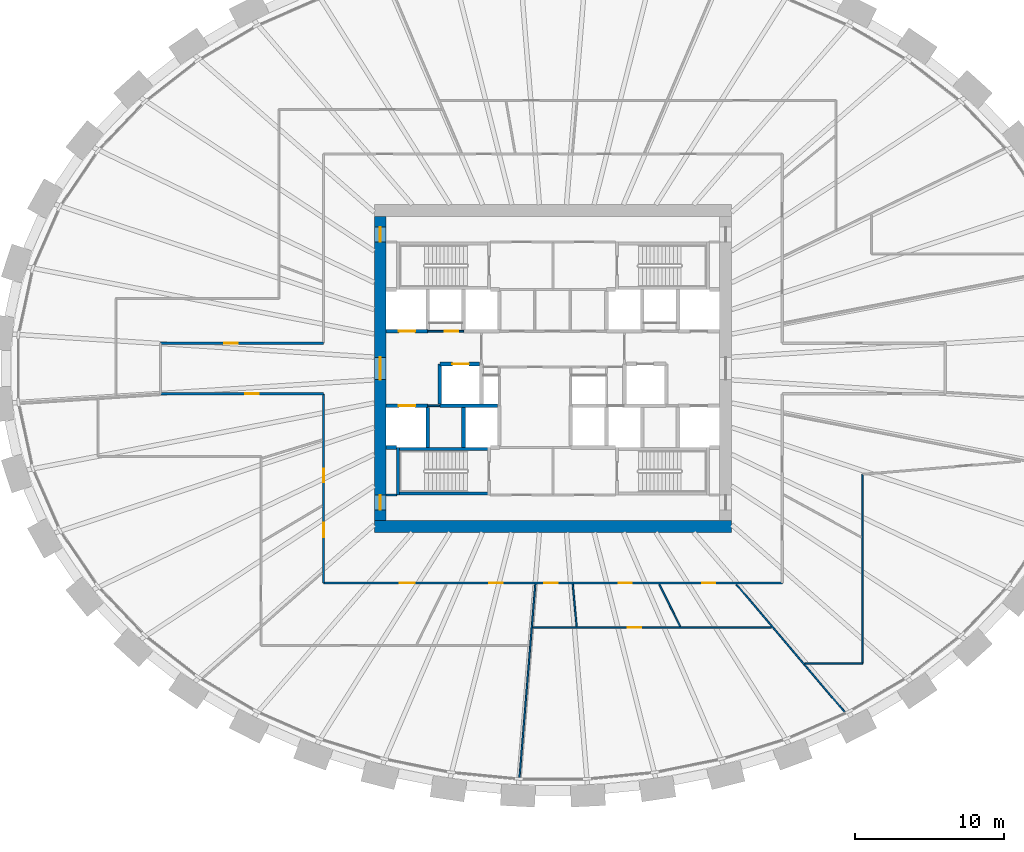
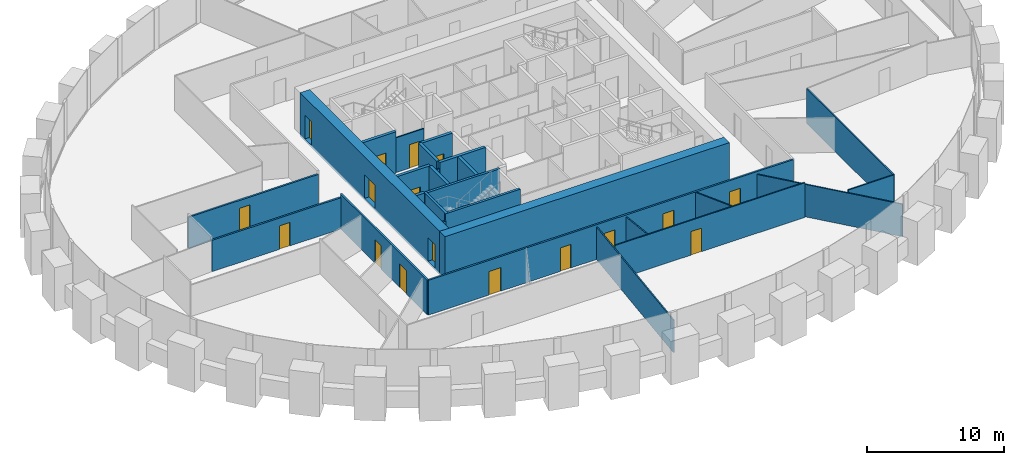
# One storey, part 6 of 10: 27 walls, 17 doors, 17 openings.
"""IFC4 building model written with IfcOpenShell, lengths in metres."""

from ifc_helpers import new_model, si_unit, direction, frame, frame_2d, origin, place, context, subcontext, project, spatial, rectangle, extrude, source, transform, mapped, material, layer, layer_set, type_object, element, fill, save


model = new_model("IFC4")

# Units and contexts
model_context = context("Model", 3, precision=1e-05, world=origin(), true_north=direction((0.0, 1.0)))
body_context = subcontext(model_context, "Body", "Model", "MODEL_VIEW")
ifc_project = project(units=[si_unit("LENGTHUNIT", "METRE"), si_unit("AREAUNIT", "SQUARE_METRE"), si_unit("VOLUMEUNIT", "CUBIC_METRE"), si_unit("PLANEANGLEUNIT", "RADIAN"), si_unit("MASSUNIT", "GRAM", prefix="KILO")], contexts=[model_context])

# Site, building, storey
site_placement = place(None, origin())
site = spatial("IfcSite", under=ifc_project, at=site_placement, CompositionType="ELEMENT")
building_placement = place(site_placement, origin())
building = spatial("IfcBuilding", under=site, at=building_placement, Name="Embergate Tower", CompositionType="ELEMENT")
storey_placement = place(building_placement, frame((0.0, 0.0, 175.5)))
storey = spatial("IfcBuildingStorey", under=building, at=storey_placement, Name="L39", CompositionType="ELEMENT", Elevation=175.5)

# Wall
ifc_material_1 = material(Name="Concrete C70", Category="concrete")
ifc_layer_1 = layer(ifc_material_1, 0.800048828125)
ifc_layer_set_1 = layer_set([ifc_layer_1], Name="Concrete C70")
wall_type_1 = type_object("IfcWallType", Name="Core outer wall C70 800", PredefinedType="SHEAR", material=ifc_layer_set_1)
shared_shape_1 = source(origin(), body_context, "Body", "SweptSolid", [
    extrude(rectangle(XDim=24.0, YDim=0.800048828125, at=frame_2d((12.0, 0.0))), origin(), (0.0, 0.0, 1.0), 3.89990234375),
])
wall_1_placement = place(storey_placement, frame((-12.0, -10.60009765625, -0.199951171875), z_axis=(0.0, 0.0, 1.0), x_axis=(1.0, 0.0, 0.0)))
element("IfcWall", 1, at=wall_1_placement, inside=storey, type_object=wall_type_1, Name="CW-L39-S", PredefinedType="SHEAR", context=body_context, shape_type="MappedRepresentation", body=[
    mapped(shared_shape_1, transform((0.0, 0.0, 0.0))),
])

# Wall, openings, doors
shared_shape_2 = source(origin(), body_context, "Body", "SweptSolid", [
    extrude(rectangle(XDim=20.39990234375, YDim=0.800048828125, at=frame_2d((10.199951171875, 0.0))), origin(), (0.0, 0.0, 1.0), 3.89990234375),
])
wall_2_placement = place(storey_placement, frame((-11.60009765625, -10.199951171875, -0.199951171875), z_axis=(0.0, 0.0, 1.0), x_axis=(0.0, 1.0, 0.0)))
wall_2 = element("IfcWall", 2, at=wall_2_placement, inside=storey, type_object=wall_type_1, Name="CW-L39-W", PredefinedType="SHEAR", context=body_context, shape_type="MappedRepresentation", body=[
    mapped(shared_shape_2, transform((0.0, 0.0, 0.0))),
])
shared_shape_3 = source(origin(), body_context, "Body", "SweptSolid", [
    extrude(rectangle(XDim=1.0, YDim=2.10009765625, at=frame_2d((0.5, 1.050048828125))), frame((0.0, 0.409912109375, 0.0), z_axis=(0.0, -1.0, 0.0), x_axis=(1.0, 0.0, 0.0)), (0.0, 0.0, 1.0), 0.820068359375),
])
opening_1_placement = place(wall_2_placement, frame((18.699951171875, 0.0, 0.199951171875)))
opening_1 = element("IfcOpeningElement", 3, at=opening_1_placement, cuts=wall_2, Name="Opening IF-1d", PredefinedType="OPENING", context=body_context, shape_type="MappedRepresentation", body=[
    mapped(shared_shape_3, transform((0.0, 0.0, 0.0))),
])
opening_2_placement = place(wall_2_placement, frame((0.699951171875, 0.0, 0.199951171875)))
opening_2 = element("IfcOpeningElement", 4, at=opening_2_placement, cuts=wall_2, Name="Opening IF-1d", PredefinedType="OPENING", context=body_context, shape_type="MappedRepresentation", body=[
    mapped(shared_shape_3, transform((0.0, 0.0, 0.0))),
])
shared_shape_4 = source(origin(), body_context, "Body", "SweptSolid", [
    extrude(rectangle(XDim=1.5, YDim=2.10009765625, at=frame_2d((0.75, 1.050048828125))), frame((0.0, 0.409912109375, 0.0), z_axis=(0.0, -1.0, 0.0), x_axis=(1.0, 0.0, 0.0)), (0.0, 0.0, 1.0), 0.820068359375),
])
opening_3_placement = place(wall_2_placement, frame((9.449951171875, 0.0, 0.199951171875)))
opening_3 = element("IfcOpeningElement", 5, at=opening_3_placement, cuts=wall_2, Name="Opening IF-3", PredefinedType="OPENING", context=body_context, shape_type="MappedRepresentation", body=[
    mapped(shared_shape_4, transform((0.0, 0.0, 0.0))),
])
ifc_material_2 = material(Name="Lobby fire door pair 1500")
door_type_1 = type_object("IfcDoorType", Name="Lobby fire door pair 1500", OperationType="DOUBLE_DOOR_SINGLE_SWING", PredefinedType="DOOR", material=ifc_material_2)
shared_shape_5 = source(origin(), body_context, "Body", "SweptSolid", [
    extrude(rectangle(XDim=1.5, YDim=2.10009765625, at=frame_2d((0.75, 1.050048828125))), frame((0.0, 0.02490234375, 0.0), z_axis=(0.0, -1.0, 0.0), x_axis=(1.0, 0.0, 0.0)), (0.0, 0.0, 1.0), 0.050048828125),
])
door_1_placement = place(opening_3_placement, origin())
door_1 = element("IfcDoor", 6, at=door_1_placement, inside=storey, type_object=door_type_1, Name="IF-3 door", OperationType="DOUBLE_DOOR_SINGLE_SWING", OverallHeight=2.10009765625, OverallWidth=1.5, PredefinedType="DOOR", context=body_context, shape_type="MappedRepresentation", body=[
    mapped(shared_shape_5, transform((0.0, 0.0, 0.0))),
])
fill(opening_3, door_1)
ifc_material_3 = material(Name="Escape fire door 1000")
door_type_2 = type_object("IfcDoorType", Name="Escape fire door 1000", OperationType="SINGLE_SWING_LEFT", PredefinedType="DOOR", material=ifc_material_3)
shared_shape_6 = source(origin(), body_context, "Body", "SweptSolid", [
    extrude(rectangle(XDim=1.0, YDim=2.10009765625, at=frame_2d((0.5, 1.050048828125))), frame((0.0, 0.02490234375, 0.0), z_axis=(0.0, -1.0, 0.0), x_axis=(1.0, 0.0, 0.0)), (0.0, 0.0, 1.0), 0.050048828125),
])
door_2_placement = place(opening_1_placement, origin())
door_2 = element("IfcDoor", 7, at=door_2_placement, inside=storey, type_object=door_type_2, Name="IF-1 door", OperationType="SINGLE_SWING_LEFT", OverallHeight=2.10009765625, OverallWidth=1.0, PredefinedType="DOOR", context=body_context, shape_type="MappedRepresentation", body=[
    mapped(shared_shape_6, transform((0.0, 0.0, 0.0))),
])
fill(opening_1, door_2)
door_3_placement = place(opening_2_placement, origin())
door_3 = element("IfcDoor", 8, at=door_3_placement, inside=storey, type_object=door_type_2, Name="IF-1 door", OperationType="SINGLE_SWING_RIGHT", OverallHeight=2.10009765625, OverallWidth=1.0, PredefinedType="DOOR", context=body_context, shape_type="MappedRepresentation", body=[
    mapped(shared_shape_6, transform((0.0, 0.0, 0.0))),
])
fill(opening_2, door_3)

# Wall, opening, door
ifc_material_4 = material(Name="Concrete C50", Category="concrete")
ifc_layer_2 = layer(ifc_material_4, 0.25)
ifc_layer_set_2 = layer_set([ifc_layer_2], Name="Concrete C50")
wall_type_2 = type_object("IfcWallType", Name="Hoistway wall reinforced concrete 250", PredefinedType="SHEAR", material=ifc_layer_set_2)
shared_shape_7 = source(origin(), body_context, "Body", "SweptSolid", [
    extrude(rectangle(XDim=2.675048828125, YDim=0.25, at=frame_2d((1.33740234375, 0.0))), origin(), (0.0, 0.0, 1.0), 3.699951171875),
])
wall_3_placement = place(storey_placement, frame((-4.925048828125, 0.300048828125, 0.0), z_axis=(0.0, 0.0, 1.0), x_axis=(-1.0, 0.0, 0.0)))
wall_3 = element("IfcWall", 9, at=wall_3_placement, inside=storey, type_object=wall_type_2, Name="HW-1 wall", PredefinedType="SHEAR", context=body_context, shape_type="MappedRepresentation", body=[
    mapped(shared_shape_7, transform((0.0, 0.0, 0.0))),
])
shared_shape_8 = source(origin(), body_context, "Body", "SweptSolid", [
    extrude(rectangle(XDim=1.10009765625, YDim=2.10009765625, at=frame_2d((0.550048828125, 1.050048828125))), frame((0.0, 0.135009765625, 0.0), z_axis=(0.0, -1.0, 0.0), x_axis=(1.0, 0.0, 0.0)), (0.0, 0.0, 1.0), 0.27001953125),
])
opening_4_placement = place(wall_3_placement, frame((0.72509765625, 0.0, 0.0)))
opening_4 = element("IfcOpeningElement", 10, at=opening_4_placement, cuts=wall_3, Name="Opening LD", PredefinedType="OPENING", context=body_context, shape_type="MappedRepresentation", body=[
    mapped(shared_shape_8, transform((0.0, 0.0, 0.0))),
])
ifc_material_5 = material(Name="Landing door sliding 1100")
door_type_3 = type_object("IfcDoorType", Name="Landing door sliding 1100", OperationType="SLIDING_TO_LEFT", PredefinedType="DOOR", material=ifc_material_5)
shared_shape_9 = source(origin(), body_context, "Body", "SweptSolid", [
    extrude(rectangle(XDim=1.10009765625, YDim=2.10009765625, at=frame_2d((0.550048828125, 1.050048828125))), frame((0.0, 0.02490234375, 0.0), z_axis=(0.0, -1.0, 0.0), x_axis=(1.0, 0.0, 0.0)), (0.0, 0.0, 1.0), 0.050048828125),
])
door_4_placement = place(opening_4_placement, origin())
door_4 = element("IfcDoor", 11, at=door_4_placement, inside=storey, type_object=door_type_3, Name="LD door", OperationType="SLIDING_TO_RIGHT", OverallHeight=2.10009765625, OverallWidth=1.10009765625, PredefinedType="DOOR", context=body_context, shape_type="MappedRepresentation", body=[
    mapped(shared_shape_9, transform((0.0, 0.0, 0.0))),
])
fill(opening_4, door_4)

# Walls
wall_4_placement = place(storey_placement, frame((-7.60009765625, 0.300048828125, 0.0), z_axis=(0.0, 0.0, 1.0), x_axis=(0.0, -1.0, 0.0)))
element("IfcWall", 12, at=wall_4_placement, inside=storey, type_object=wall_type_2, Name="HW-1 wall", PredefinedType="SHEAR", context=body_context, shape_type="MappedRepresentation", body=[
    mapped(shared_shape_7, transform((0.0, 0.0, 0.0))),
])
ifc_layer_3 = layer(ifc_material_4, 0.199951171875)
ifc_layer_set_3 = layer_set([ifc_layer_3], Name="Concrete C50")
wall_type_3 = type_object("IfcWallType", Name="Stair enclosure wall reinforced concrete 250", PredefinedType="SHEAR", material=ifc_layer_set_3)
shared_shape_10 = source(origin(), body_context, "Body", "SweptSolid", [
    extrude(rectangle(XDim=6.300048828125, YDim=0.199951171875, at=frame_2d((3.14990234375, 0.0))), origin(), (0.0, 0.0, 1.0), 3.699951171875),
])
for number, where, z_axis, x_axis, name in (
    (13, (-10.5, -5.39990234375, 0.0), (0.0, 0.0, 1.0), (1.0, 0.0, 0.0), "SE-1 wall"),
    (14, (-10.5, -8.39990234375, 0.0), (0.0, 0.0, 1.0), (1.0, 0.0, 0.0), "SE-1 wall"),
):
    element("IfcWall", number, at=place(storey_placement, frame(where, z_axis=z_axis, x_axis=x_axis)), inside=storey, type_object=wall_type_3, Name=name, PredefinedType="SHEAR", context=body_context, shape_type="MappedRepresentation", body=[
        mapped(shared_shape_10, transform((0.0, 0.0, 0.0))),
    ])

# Wall, opening, door
shared_shape_11 = source(origin(), body_context, "Body", "SweptSolid", [
    extrude(rectangle(XDim=2.800048828125, YDim=0.25, at=frame_2d((1.39990234375, 0.0))), origin(), (0.0, 0.0, 1.0), 3.699951171875),
])
wall_5_placement = place(storey_placement, frame((-11.199951171875, 2.5, 0.0), z_axis=(0.0, 0.0, 1.0), x_axis=(1.0, 0.0, 0.0)))
wall_5 = element("IfcWall", 15, at=wall_5_placement, inside=storey, type_object=wall_type_2, Name="HW-1 wall", PredefinedType="SHEAR", context=body_context, shape_type="MappedRepresentation", body=[
    mapped(shared_shape_11, transform((0.0, 0.0, 0.0))),
])
opening_5_placement = place(wall_5_placement, frame((0.85009765625, 0.0, 0.0)))
opening_5 = element("IfcOpeningElement", 16, at=opening_5_placement, cuts=wall_5, Name="Opening LD", PredefinedType="OPENING", context=body_context, shape_type="MappedRepresentation", body=[
    mapped(shared_shape_8, transform((0.0, 0.0, 0.0))),
])
door_5_placement = place(opening_5_placement, origin())
door_5 = element("IfcDoor", 17, at=door_5_placement, inside=storey, type_object=door_type_3, Name="LD door", OperationType="SLIDING_TO_LEFT", OverallHeight=2.10009765625, OverallWidth=1.10009765625, PredefinedType="DOOR", context=body_context, shape_type="MappedRepresentation", body=[
    mapped(shared_shape_9, transform((0.0, 0.0, 0.0))),
])
fill(opening_5, door_5)

wall_6_placement = place(storey_placement, frame((-8.39990234375, -2.5, 0.0), z_axis=(0.0, 0.0, 1.0), x_axis=(-1.0, 0.0, 0.0)))
wall_6 = element("IfcWall", 18, at=wall_6_placement, inside=storey, type_object=wall_type_2, Name="HW-1 wall", PredefinedType="SHEAR", context=body_context, shape_type="MappedRepresentation", body=[
    mapped(shared_shape_11, transform((0.0, 0.0, 0.0))),
])
opening_6_placement = place(wall_6_placement, frame((0.85009765625, 0.0, 0.0)))
opening_6 = element("IfcOpeningElement", 19, at=opening_6_placement, cuts=wall_6, Name="Opening LD", PredefinedType="OPENING", context=body_context, shape_type="MappedRepresentation", body=[
    mapped(shared_shape_8, transform((0.0, 0.0, 0.0))),
])
door_6_placement = place(opening_6_placement, origin())
door_6 = element("IfcDoor", 20, at=door_6_placement, inside=storey, type_object=door_type_3, Name="LD door", OperationType="SLIDING_TO_LEFT", OverallHeight=2.10009765625, OverallWidth=1.10009765625, PredefinedType="DOOR", context=body_context, shape_type="MappedRepresentation", body=[
    mapped(shared_shape_9, transform((0.0, 0.0, 0.0))),
])
fill(opening_6, door_6)

ifc_material_6 = material(Name="Core partition blockwork 120")
ifc_layer_4 = layer(ifc_material_6, 0.1201171875)
ifc_layer_set_4 = layer_set([ifc_layer_4], Name="Core partition blockwork 120")
wall_type_4 = type_object("IfcWallType", Name="Core partition blockwork 120", PredefinedType="PARTITIONING", material=ifc_layer_set_4)
shared_shape_12 = source(origin(), body_context, "Body", "SweptSolid", [
    extrude(rectangle(XDim=2.39990234375, YDim=0.1201171875, at=frame_2d((1.199951171875, 0.0))), origin(), (0.0, 0.0, 1.0), 3.10009765625),
])
wall_7_placement = place(storey_placement, frame((-8.39990234375, 2.5, 0.0), z_axis=(0.0, 0.0, 1.0), x_axis=(1.0, 0.0, 0.0)))
wall_7 = element("IfcWall", 21, at=wall_7_placement, inside=storey, type_object=wall_type_4, Name="IP-3 wall", PredefinedType="PARTITIONING", context=body_context, shape_type="MappedRepresentation", body=[
    mapped(shared_shape_12, transform((0.0, 0.0, 0.0))),
])
shared_shape_13 = source(origin(), body_context, "Body", "SweptSolid", [
    extrude(rectangle(XDim=0.89990234375, YDim=2.10009765625, at=frame_2d((0.449951171875, 1.050048828125))), frame((0.0, 0.070068359375, 0.0), z_axis=(0.0, -1.0, 0.0), x_axis=(1.0, 0.0, 0.0)), (0.0, 0.0, 1.0), 0.14013671875),
])
opening_7_placement = place(wall_7_placement, frame((1.14990234375, 0.0, 0.0)))
opening_7 = element("IfcOpeningElement", 22, at=opening_7_placement, cuts=wall_7, Name="Opening ID-1", PredefinedType="OPENING", context=body_context, shape_type="MappedRepresentation", body=[
    mapped(shared_shape_13, transform((0.0, 0.0, 0.0))),
])
ifc_material_7 = material(Name="Interior door 900")
door_type_4 = type_object("IfcDoorType", Name="Interior door 900", OperationType="SINGLE_SWING_LEFT", PredefinedType="DOOR", material=ifc_material_7)
shared_shape_14 = source(origin(), body_context, "Body", "SweptSolid", [
    extrude(rectangle(XDim=0.89990234375, YDim=2.10009765625, at=frame_2d((0.449951171875, 1.050048828125))), frame((0.0, 0.02490234375, 0.0), z_axis=(0.0, -1.0, 0.0), x_axis=(1.0, 0.0, 0.0)), (0.0, 0.0, 1.0), 0.050048828125),
])
door_7_placement = place(opening_7_placement, origin())
door_7 = element("IfcDoor", 23, at=door_7_placement, inside=storey, type_object=door_type_4, Name="ID-1 door", OperationType="SINGLE_SWING_RIGHT", OverallHeight=2.10009765625, OverallWidth=0.89990234375, PredefinedType="DOOR", context=body_context, shape_type="MappedRepresentation", body=[
    mapped(shared_shape_14, transform((0.0, 0.0, 0.0))),
])
fill(opening_7, door_7)

# Walls
shared_shape_15 = source(origin(), body_context, "Body", "SweptSolid", [
    extrude(rectangle(XDim=3.872802734375, YDim=0.25, at=frame_2d((1.9365234375, 0.0))), origin(), (0.0, 0.0, 1.0), 3.699951171875),
])
wall_8_placement = place(storey_placement, frame((-3.72509765625, -2.5, 0.0), z_axis=(0.0, 0.0, 1.0), x_axis=(-1.0, 0.0, 0.0)))
element("IfcWall", 24, at=wall_8_placement, inside=storey, type_object=wall_type_2, Name="HW-1 wall", PredefinedType="SHEAR", context=body_context, shape_type="MappedRepresentation", body=[
    mapped(shared_shape_15, transform((0.0, 0.0, 0.0))),
])
shared_shape_16 = source(origin(), body_context, "Body", "SweptSolid", [
    extrude(rectangle(XDim=3.196044921875, YDim=0.199951171875, at=frame_2d((1.59814453125, 0.0))), origin(), (0.0, 0.0, 1.0), 3.699951171875),
])
wall_9_placement = place(storey_placement, frame((-10.39990234375, -5.302001953125, 0.0), z_axis=(0.0, 0.0, 1.0), x_axis=(0.0, -1.0, 0.0)))
element("IfcWall", 25, at=wall_9_placement, inside=storey, type_object=wall_type_3, Name="SE-1 wall", PredefinedType="SHEAR", context=body_context, shape_type="MappedRepresentation", body=[
    mapped(shared_shape_16, transform((0.0, 0.0, 0.0))),
])
shared_shape_17 = source(origin(), body_context, "Body", "SweptSolid", [
    extrude(rectangle(XDim=0.697998046875, YDim=0.25, at=frame_2d((0.34912109375, 0.0))), origin(), (0.0, 0.0, 1.0), 3.699951171875),
])
wall_10_placement = place(storey_placement, frame((-11.199951171875, -5.300048828125, 0.0), z_axis=(0.0, 0.0, 1.0), x_axis=(1.0, 0.0, 0.0)))
element("IfcWall", 26, at=wall_10_placement, inside=storey, type_object=wall_type_2, Name="HW-1 wall", PredefinedType="SHEAR", context=body_context, shape_type="MappedRepresentation", body=[
    mapped(shared_shape_17, transform((0.0, 0.0, 0.0))),
])
shared_shape_18 = source(origin(), body_context, "Body", "SweptSolid", [
    extrude(rectangle(XDim=2.671142578125, YDim=0.25, at=frame_2d((1.33544921875, 0.0))), origin(), (0.0, 0.0, 1.0), 3.699951171875),
])
for number, where, z_axis, x_axis, name in (
    (27, (-8.39990234375, -5.298095703125, 0.0), (0.0, 0.0, 1.0), (0.0, 1.0, 0.0), "HW-1 wall"),
    (28, (-6.0, -2.626953125, 0.0), (0.0, 0.0, 1.0), (0.0, -1.0, 0.0), "HW-1 wall"),
):
    element("IfcWall", number, at=place(storey_placement, frame(where, z_axis=z_axis, x_axis=x_axis)), inside=storey, type_object=wall_type_2, Name=name, PredefinedType="SHEAR", context=body_context, shape_type="MappedRepresentation", body=[
        mapped(shared_shape_18, transform((0.0, 0.0, 0.0))),
    ])
shared_shape_19 = source(origin(), body_context, "Body", "SweptSolid", [
    extrude(rectangle(XDim=0.7958984375, YDim=0.1201171875, at=frame_2d((0.39794921875, 0.0))), origin(), (0.0, 0.0, 1.0), 3.10009765625),
])
wall_11_placement = place(storey_placement, frame((-8.39794921875, -2.5, 0.0), z_axis=(0.0, 0.0, 1.0), x_axis=(1.0, 0.0, 0.0)))
element("IfcWall", 29, at=wall_11_placement, inside=storey, type_object=wall_type_4, Name="IP-3 wall", PredefinedType="PARTITIONING", context=body_context, shape_type="MappedRepresentation", body=[
    mapped(shared_shape_19, transform((0.0, 0.0, 0.0))),
])
shared_shape_20 = source(origin(), body_context, "Body", "SweptSolid", [
    extrude(rectangle(XDim=0.697998046875, YDim=0.1201171875, at=frame_2d((0.34912109375, 0.0))), origin(), (0.0, 0.0, 1.0), 3.10009765625),
])
wall_12_placement = place(storey_placement, frame((-10.501953125, -8.5, 0.0), z_axis=(0.0, 0.0, 1.0), x_axis=(-1.0, 0.0, 0.0)))
element("IfcWall", 30, at=wall_12_placement, inside=storey, type_object=wall_type_4, Name="IP-3 wall", PredefinedType="PARTITIONING", context=body_context, shape_type="MappedRepresentation", body=[
    mapped(shared_shape_20, transform((0.0, 0.0, 0.0))),
])

# Wall, opening, door
ifc_material_8 = material(Name="Corridor wall dry-lined 150")
ifc_layer_5 = layer(ifc_material_8, 0.14990234375)
ifc_layer_set_5 = layer_set([ifc_layer_5], Name="Corridor wall dry-lined 150")
wall_type_5 = type_object("IfcWallType", Name="Corridor wall dry-lined 150", PredefinedType="PARTITIONING", material=ifc_layer_set_5)
shared_shape_21 = source(origin(), body_context, "Body", "SweptSolid", [
    extrude(rectangle(XDim=10.9501953125, YDim=0.14990234375, at=frame_2d((5.47509765625, 0.0))), origin(), (0.0, 0.0, 1.0), 2.800048828125),
])
wall_13_placement = place(storey_placement, frame((-15.39990234375, -1.699951171875, 0.0), z_axis=(0.0, 0.0, 1.0), x_axis=(-1.0, 0.0, 0.0)))
wall_13 = element("IfcWall", 31, at=wall_13_placement, inside=storey, type_object=wall_type_5, Name="IP-2 wall", PredefinedType="PARTITIONING", context=body_context, shape_type="MappedRepresentation", body=[
    mapped(shared_shape_21, transform((0.0, 0.0, 0.0))),
])
shared_shape_22 = source(origin(), body_context, "Body", "SweptSolid", [
    extrude(rectangle(XDim=0.89990234375, YDim=2.10009765625, at=frame_2d((0.449951171875, 1.050048828125))), frame((0.0, 0.0849609375, 0.0), z_axis=(0.0, -1.0, 0.0), x_axis=(1.0, 0.0, 0.0)), (0.0, 0.0, 1.0), 0.169921875),
])
opening_8_placement = place(wall_13_placement, frame((4.364013671875, 0.0, 0.0)))
opening_8 = element("IfcOpeningElement", 32, at=opening_8_placement, cuts=wall_13, Name="Opening IF-1c", PredefinedType="OPENING", context=body_context, shape_type="MappedRepresentation", body=[
    mapped(shared_shape_22, transform((0.0, 0.0, 0.0))),
])
ifc_material_9 = material(Name="Escape fire door 900")
door_type_5 = type_object("IfcDoorType", Name="Escape fire door 900", OperationType="SINGLE_SWING_LEFT", PredefinedType="DOOR", material=ifc_material_9)
door_8_placement = place(opening_8_placement, origin())
door_8 = element("IfcDoor", 33, at=door_8_placement, inside=storey, type_object=door_type_5, Name="IF-1 door", OperationType="SINGLE_SWING_RIGHT", OverallHeight=2.10009765625, OverallWidth=0.89990234375, PredefinedType="DOOR", context=body_context, shape_type="MappedRepresentation", body=[
    mapped(shared_shape_14, transform((0.0, 0.0, 0.0))),
])
fill(opening_8, door_8)

wall_14_placement = place(storey_placement, frame((-26.35009765625, 1.699951171875, 0.0), z_axis=(0.0, 0.0, 1.0), x_axis=(1.0, 0.0, 0.0)))
wall_14 = element("IfcWall", 34, at=wall_14_placement, inside=storey, type_object=wall_type_5, Name="IP-2 wall", PredefinedType="PARTITIONING", context=body_context, shape_type="MappedRepresentation", body=[
    mapped(shared_shape_21, transform((0.0, 0.0, 0.0))),
])
opening_9_placement = place(wall_14_placement, frame((4.26904296875, 0.0, 0.0)))
opening_9 = element("IfcOpeningElement", 35, at=opening_9_placement, cuts=wall_14, Name="Opening IF-1c", PredefinedType="OPENING", context=body_context, shape_type="MappedRepresentation", body=[
    mapped(shared_shape_22, transform((0.0, 0.0, 0.0))),
])
door_9_placement = place(opening_9_placement, origin())
door_9 = element("IfcDoor", 36, at=door_9_placement, inside=storey, type_object=door_type_5, Name="IF-1 door", OperationType="SINGLE_SWING_RIGHT", OverallHeight=2.10009765625, OverallWidth=0.89990234375, PredefinedType="DOOR", context=body_context, shape_type="MappedRepresentation", body=[
    mapped(shared_shape_14, transform((0.0, 0.0, 0.0))),
])
fill(opening_9, door_9)

# Wall
ifc_material_10 = material(Name="Partition dry-lined 100 wet")
ifc_layer_6 = layer(ifc_material_10, 0.10009765625)
ifc_layer_set_6 = layer_set([ifc_layer_6], Name="Partition dry-lined 100 wet")
wall_type_6 = type_object("IfcWallType", Name="Partition dry-lined 100 wet", PredefinedType="PLUMBINGWALL", material=ifc_layer_set_6)
shared_shape_23 = source(origin(), body_context, "Body", "SweptSolid", [
    extrude(rectangle(XDim=2.88720703125, YDim=0.10009765625, at=frame_2d((1.443603515625, 0.0))), origin(), (0.0, 0.0, 1.0), 2.89990234375),
])
wall_15_placement = place(storey_placement, frame((1.327880859375, -14.47509765625, 0.0), z_axis=(0.0, 0.0, 1.0), x_axis=(0.09149638687, -0.995805408295, 0.0)))
element("IfcWall", 37, at=wall_15_placement, inside=storey, type_object=wall_type_6, Name="IP-1 wall", PredefinedType="PLUMBINGWALL", context=body_context, shape_type="MappedRepresentation", body=[
    mapped(shared_shape_23, transform((0.0, 0.0, 0.0))),
])

# Wall, openings, doors
shared_shape_24 = source(origin(), body_context, "Body", "SweptSolid", [
    extrude(rectangle(XDim=12.699951171875, YDim=0.14990234375, at=frame_2d((6.35009765625, 0.0))), origin(), (0.0, 0.0, 1.0), 3.10009765625),
])
wall_16_placement = place(storey_placement, frame((-15.39990234375, -14.39990234375, 0.0), z_axis=(0.0, 0.0, 1.0), x_axis=(0.0, 1.0, 0.0)))
wall_16 = element("IfcWall", 38, at=wall_16_placement, inside=storey, type_object=wall_type_5, Name="IP-2 wall", PredefinedType="PARTITIONING", context=body_context, shape_type="MappedRepresentation", body=[
    mapped(shared_shape_24, transform((0.0, 0.0, 0.0))),
])
opening_10_placement = place(wall_16_placement, frame((6.760986328125, 0.0, 0.0)))
opening_10 = element("IfcOpeningElement", 39, at=opening_10_placement, cuts=wall_16, Name="Opening IF-1c", PredefinedType="OPENING", context=body_context, shape_type="MappedRepresentation", body=[
    mapped(shared_shape_22, transform((0.0, 0.0, 0.0))),
])
shared_shape_25 = source(origin(), body_context, "Body", "SweptSolid", [
    extrude(rectangle(XDim=1.0, YDim=2.10009765625, at=frame_2d((0.5, 1.050048828125))), frame((0.0, 0.0849609375, 0.0), z_axis=(0.0, -1.0, 0.0), x_axis=(1.0, 0.0, 0.0)), (0.0, 0.0, 1.0), 0.169921875),
])
opening_11_placement = place(wall_16_placement, frame((3.052978515625, 0.0, 0.0)))
opening_11 = element("IfcOpeningElement", 40, at=opening_11_placement, cuts=wall_16, Name="Opening ID-2", PredefinedType="OPENING", context=body_context, shape_type="MappedRepresentation", body=[
    mapped(shared_shape_25, transform((0.0, 0.0, 0.0))),
])
door_10_placement = place(opening_10_placement, origin())
door_10 = element("IfcDoor", 41, at=door_10_placement, inside=storey, type_object=door_type_5, Name="IF-1 door", OperationType="SINGLE_SWING_RIGHT", OverallHeight=2.10009765625, OverallWidth=0.89990234375, PredefinedType="DOOR", context=body_context, shape_type="MappedRepresentation", body=[
    mapped(shared_shape_14, transform((0.0, 0.0, 0.0))),
])
fill(opening_10, door_10)
ifc_material_11 = material(Name="Interior door 1000")
door_type_6 = type_object("IfcDoorType", Name="Interior door 1000", OperationType="SINGLE_SWING_LEFT", PredefinedType="DOOR", material=ifc_material_11)
door_11_placement = place(opening_11_placement, origin())
door_11 = element("IfcDoor", 42, at=door_11_placement, inside=storey, type_object=door_type_6, Name="ID-2 door", OperationType="SINGLE_SWING_LEFT", OverallHeight=2.10009765625, OverallWidth=1.0, PredefinedType="DOOR", context=body_context, shape_type="MappedRepresentation", body=[
    mapped(shared_shape_6, transform((0.0, 0.0, 0.0))),
])
fill(opening_11, door_11)

shared_shape_26 = source(origin(), body_context, "Body", "SweptSolid", [
    extrude(rectangle(XDim=30.7998046875, YDim=0.14990234375, at=frame_2d((15.39990234375, 0.0))), origin(), (0.0, 0.0, 1.0), 3.10009765625),
])
wall_17_placement = place(storey_placement, frame((15.39990234375, -14.39990234375, 0.0), z_axis=(0.0, 0.0, 1.0), x_axis=(-1.0, 0.0, 0.0)))
wall_17 = element("IfcWall", 43, at=wall_17_placement, inside=storey, type_object=wall_type_5, Name="IP-2 wall", PredefinedType="PARTITIONING", context=body_context, shape_type="MappedRepresentation", body=[
    mapped(shared_shape_26, transform((0.0, 0.0, 0.0))),
])
opening_12_placement = place(wall_17_placement, frame((24.68505859375, 0.0, 0.0)))
opening_12 = element("IfcOpeningElement", 44, at=opening_12_placement, cuts=wall_17, Name="Opening ID-2", PredefinedType="OPENING", context=body_context, shape_type="MappedRepresentation", body=[
    mapped(shared_shape_25, transform((0.0, 0.0, 0.0))),
])
opening_13_placement = place(wall_17_placement, frame((18.783935546875, 0.0, 0.0)))
opening_13 = element("IfcOpeningElement", 45, at=opening_13_placement, cuts=wall_17, Name="Opening IF-1c", PredefinedType="OPENING", context=body_context, shape_type="MappedRepresentation", body=[
    mapped(shared_shape_22, transform((0.0, 0.0, 0.0))),
])
opening_14_placement = place(wall_17_placement, frame((15.068115234375, 0.0, 0.0)))
opening_14 = element("IfcOpeningElement", 46, at=opening_14_placement, cuts=wall_17, Name="Opening IF-1c", PredefinedType="OPENING", context=body_context, shape_type="MappedRepresentation", body=[
    mapped(shared_shape_22, transform((0.0, 0.0, 0.0))),
])
opening_15_placement = place(wall_17_placement, frame((10.096923828125, 0.0, 0.0)))
opening_15 = element("IfcOpeningElement", 47, at=opening_15_placement, cuts=wall_17, Name="Opening IF-1c", PredefinedType="OPENING", context=body_context, shape_type="MappedRepresentation", body=[
    mapped(shared_shape_22, transform((0.0, 0.0, 0.0))),
])
opening_16_placement = place(wall_17_placement, frame((4.486083984375, 0.0, 0.0)))
opening_16 = element("IfcOpeningElement", 48, at=opening_16_placement, cuts=wall_17, Name="Opening IF-1c", PredefinedType="OPENING", context=body_context, shape_type="MappedRepresentation", body=[
    mapped(shared_shape_22, transform((0.0, 0.0, 0.0))),
])
door_12_placement = place(opening_13_placement, origin())
door_12 = element("IfcDoor", 49, at=door_12_placement, inside=storey, type_object=door_type_5, Name="IF-1 door", OperationType="SINGLE_SWING_RIGHT", OverallHeight=2.10009765625, OverallWidth=0.89990234375, PredefinedType="DOOR", context=body_context, shape_type="MappedRepresentation", body=[
    mapped(shared_shape_14, transform((0.0, 0.0, 0.0))),
])
fill(opening_13, door_12)
door_13_placement = place(opening_14_placement, origin())
door_13 = element("IfcDoor", 50, at=door_13_placement, inside=storey, type_object=door_type_5, Name="IF-1 door", OperationType="SINGLE_SWING_RIGHT", OverallHeight=2.10009765625, OverallWidth=0.89990234375, PredefinedType="DOOR", context=body_context, shape_type="MappedRepresentation", body=[
    mapped(shared_shape_14, transform((0.0, 0.0, 0.0))),
])
fill(opening_14, door_13)
door_14_placement = place(opening_15_placement, origin())
door_14 = element("IfcDoor", 51, at=door_14_placement, inside=storey, type_object=door_type_5, Name="IF-1 door", OperationType="SINGLE_SWING_LEFT", OverallHeight=2.10009765625, OverallWidth=0.89990234375, PredefinedType="DOOR", context=body_context, shape_type="MappedRepresentation", body=[
    mapped(shared_shape_14, transform((0.0, 0.0, 0.0))),
])
fill(opening_15, door_14)
door_15_placement = place(opening_16_placement, origin())
door_15 = element("IfcDoor", 52, at=door_15_placement, inside=storey, type_object=door_type_5, Name="IF-1 door", OperationType="SINGLE_SWING_LEFT", OverallHeight=2.10009765625, OverallWidth=0.89990234375, PredefinedType="DOOR", context=body_context, shape_type="MappedRepresentation", body=[
    mapped(shared_shape_14, transform((0.0, 0.0, 0.0))),
])
fill(opening_16, door_15)
door_16_placement = place(opening_12_placement, origin())
door_16 = element("IfcDoor", 53, at=door_16_placement, inside=storey, type_object=door_type_6, Name="ID-2 door", OperationType="SINGLE_SWING_RIGHT", OverallHeight=2.10009765625, OverallWidth=1.0, PredefinedType="DOOR", context=body_context, shape_type="MappedRepresentation", body=[
    mapped(shared_shape_6, transform((0.0, 0.0, 0.0))),
])
fill(opening_12, door_16)

# Wall
shared_shape_27 = source(origin(), body_context, "Body", "SweptSolid", [
    extrude(rectangle(XDim=13.12158203125, YDim=0.10009765625, at=frame_2d((6.560791015625, 0.0))), origin(), (0.0, 0.0, 1.0), 2.89990234375),
])
wall_18_placement = place(storey_placement, frame((-1.18310546875, -14.47509765625, 0.0), z_axis=(0.0, 0.0, 1.0), x_axis=(-0.08145781893, -0.996676790005, 0.0)))
element("IfcWall", 54, at=wall_18_placement, inside=storey, type_object=wall_type_6, Name="IP-1 wall", PredefinedType="PLUMBINGWALL", context=body_context, shape_type="MappedRepresentation", body=[
    mapped(shared_shape_27, transform((0.0, 0.0, 0.0))),
])

# Wall, opening, door
shared_shape_28 = source(origin(), body_context, "Body", "SweptSolid", [
    extrude(rectangle(XDim=16.0419921875, YDim=0.10009765625, at=frame_2d((8.02099609375, 0.0))), origin(), (0.0, 0.0, 1.0), 3.10009765625),
])
wall_19_placement = place(storey_placement, frame((14.669921875, -17.39990234375, 0.0), z_axis=(0.0, 0.0, 1.0), x_axis=(-1.0, 0.0, 0.0)))
wall_19 = element("IfcWall", 55, at=wall_19_placement, inside=storey, type_object=wall_type_6, Name="IP-1 wall", PredefinedType="PLUMBINGWALL", context=body_context, shape_type="MappedRepresentation", body=[
    mapped(shared_shape_28, transform((0.0, 0.0, 0.0))),
])
shared_shape_29 = source(origin(), body_context, "Body", "SweptSolid", [
    extrude(rectangle(XDim=0.89990234375, YDim=2.10009765625, at=frame_2d((0.449951171875, 1.050048828125))), frame((0.0, 0.06005859375, 0.0), z_axis=(0.0, -1.0, 0.0), x_axis=(1.0, 0.0, 0.0)), (0.0, 0.0, 1.0), 0.1201171875),
])
opening_17_placement = place(wall_19_placement, frame((8.746826171875, 0.0, 0.0)))
opening_17 = element("IfcOpeningElement", 56, at=opening_17_placement, cuts=wall_19, Name="Opening ID-1", PredefinedType="OPENING", context=body_context, shape_type="MappedRepresentation", body=[
    mapped(shared_shape_29, transform((0.0, 0.0, 0.0))),
])
door_17_placement = place(opening_17_placement, origin())
door_17 = element("IfcDoor", 57, at=door_17_placement, inside=storey, type_object=door_type_4, Name="ID-1 door", OperationType="SINGLE_SWING_LEFT", OverallHeight=2.10009765625, OverallWidth=0.89990234375, PredefinedType="DOOR", context=body_context, shape_type="MappedRepresentation", body=[
    mapped(shared_shape_14, transform((0.0, 0.0, 0.0))),
])
fill(opening_17, door_17)

# Walls
shared_shape_30 = source(origin(), body_context, "Body", "SweptSolid", [
    extrude(rectangle(XDim=3.15625, YDim=0.10009765625, at=frame_2d((1.578125, 0.0))), origin(), (0.0, 0.0, 1.0), 3.10009765625),
])
wall_20_placement = place(storey_placement, frame((7.14892578125, -14.4970703125, 0.0), z_axis=(0.0, 0.0, 1.0), x_axis=(0.442287370256, -0.896873392465, 0.0)))
element("IfcWall", 58, at=wall_20_placement, inside=storey, type_object=wall_type_6, Name="IP-1 wall", PredefinedType="PLUMBINGWALL", context=body_context, shape_type="MappedRepresentation", body=[
    mapped(shared_shape_30, transform((0.0, 0.0, 0.0))),
])
shared_shape_31 = source(origin(), body_context, "Body", "SweptSolid", [
    extrude(rectangle(XDim=11.314453125, YDim=0.10009765625, at=frame_2d((5.6572265625, 0.0))), origin(), (0.0, 0.0, 1.0), 2.89990234375),
])
wall_21_placement = place(storey_placement, frame((12.321044921875, -14.507080078125, 0.0), z_axis=(0.0, 0.0, 1.0), x_axis=(0.64731764297, -0.762220354687, 0.0)))
element("IfcWall", 59, at=wall_21_placement, inside=storey, type_object=wall_type_6, Name="IP-1 wall", PredefinedType="PLUMBINGWALL", context=body_context, shape_type="MappedRepresentation", body=[
    mapped(shared_shape_31, transform((0.0, 0.0, 0.0))),
])
ifc_material_12 = material(Name="Partition dry-lined 100")
ifc_layer_7 = layer(ifc_material_12, 0.10009765625)
ifc_layer_set_7 = layer_set([ifc_layer_7], Name="Partition dry-lined 100")
wall_type_7 = type_object("IfcWallType", Name="Partition dry-lined 100", PredefinedType="PARTITIONING", material=ifc_layer_set_7)
shared_shape_32 = source(origin(), body_context, "Body", "SweptSolid", [
    extrude(rectangle(XDim=3.8759765625, YDim=0.10009765625, at=frame_2d((1.93798828125, 0.0))), origin(), (0.0, 0.0, 1.0), 3.10009765625),
])
wall_22_placement = place(storey_placement, frame((16.924072265625, -19.800048828125, 0.0), z_axis=(0.0, 0.0, 1.0), x_axis=(1.0, 0.0, 0.0)))
element("IfcWall", 60, at=wall_22_placement, inside=storey, type_object=wall_type_7, Name="IP-1 wall", PredefinedType="PARTITIONING", context=body_context, shape_type="MappedRepresentation", body=[
    mapped(shared_shape_32, transform((0.0, 0.0, 0.0))),
])
shared_shape_33 = source(origin(), body_context, "Body", "SweptSolid", [
    extrude(rectangle(XDim=12.699951171875, YDim=0.10009765625, at=frame_2d((6.35009765625, 0.0))), origin(), (0.0, 0.0, 1.0), 3.10009765625),
])
wall_23_placement = place(storey_placement, frame((20.800048828125, -19.800048828125, 0.0), z_axis=(0.0, 0.0, 1.0), x_axis=(0.0, 1.0, 0.0)))
element("IfcWall", 61, at=wall_23_placement, inside=storey, type_object=wall_type_7, Name="IP-1 wall", PredefinedType="PARTITIONING", context=body_context, shape_type="MappedRepresentation", body=[
    mapped(shared_shape_33, transform((0.0, 0.0, 0.0))),
])

save(model, "model.ifc")
